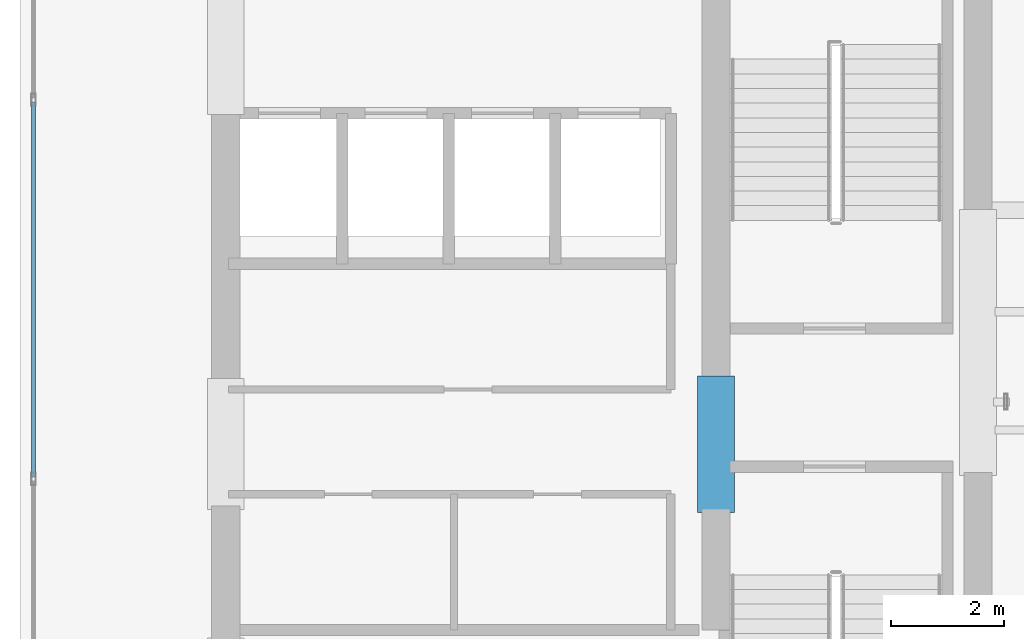
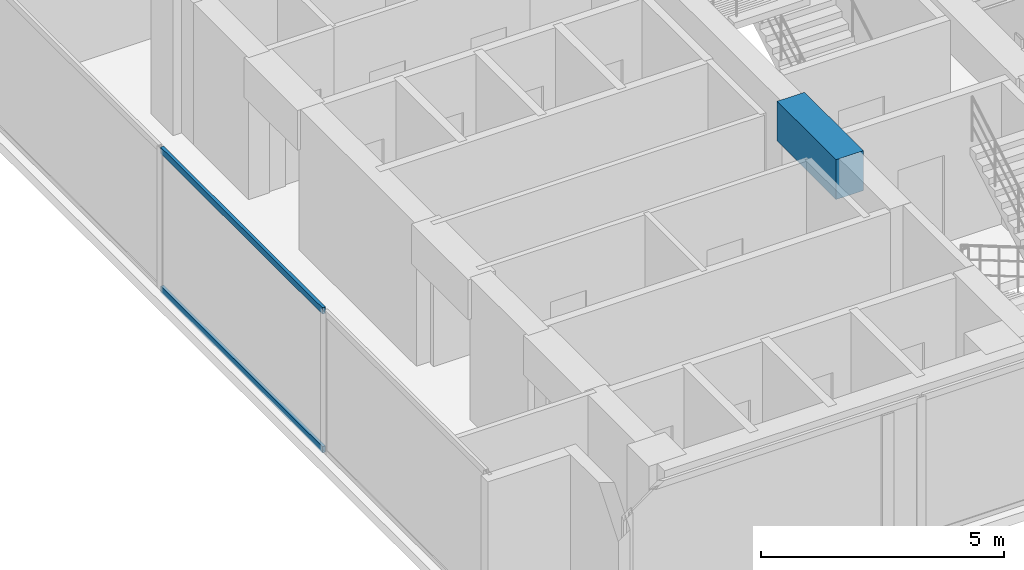
# One storey, part 3 of 24: 2 members, 1 beam, 1 element without a shape of its own.
"""IFC4 building model written with IfcOpenShell, lengths in metres."""

from ifc_helpers import new_model, si_unit, direction, frame, origin, origin_with_axes, origin_2d, place, context, subcontext, project, spatial, rectangle, hollow_rectangle, extrude, source, transform, mapped, material, layer, layer_set, material_profile, profile_set, type_object, element, aggregate, save


model = new_model("IFC4")

# Units and contexts
model_context = context("Model", 3, precision=1e-05, world=origin(), true_north=direction((0.0, 1.0)))
body_context = subcontext(model_context, "Body", "Model", "MODEL_VIEW")
ifc_project = project(units=[si_unit("LENGTHUNIT", "METRE"), si_unit("AREAUNIT", "SQUARE_METRE"), si_unit("VOLUMEUNIT", "CUBIC_METRE"), si_unit("PLANEANGLEUNIT", "RADIAN"), si_unit("MASSUNIT", "GRAM", prefix="KILO")], contexts=[model_context])

# Site, building, storey
site_placement = place(None, origin())
site = spatial("IfcSite", under=ifc_project, at=site_placement, CompositionType="ELEMENT")
building_placement = place(site_placement, origin())
building = spatial("IfcBuilding", under=site, at=building_placement, Name="Kolvaren Waterfront Exchange", CompositionType="ELEMENT")
storey_placement = place(building_placement, frame((0.0, 0.0, 285.60009765625)))
storey = spatial("IfcBuildingStorey", under=building, at=storey_placement, Name="L73", CompositionType="ELEMENT", Elevation=285.60009765625)

# Beam
ifc_material_1 = material(Name="Concrete C60/75", Category="concrete")
ifc_material_profile_1 = material_profile(ifc_material_1, rectangle(XDim=0.64990234375, YDim=1.0, at=origin_2d()), Name="RC-CB-1000x650")
ifc_profile_set_1 = profile_set([ifc_material_profile_1], Name="Concrete C60/75")
beam_type = type_object("IfcBeamType", Name="STR-CB-1000", PredefinedType="SPANDREL", material=ifc_profile_set_1)
beam_placement = place(storey_placement, frame((16.14990234375, 12.0400390625, 3.059814453125), z_axis=(0.0, 1.0, 0.0), x_axis=(-1.0, 0.0, 0.0)))
element("IfcBeam", 1, at=beam_placement, inside=storey, type_object=beam_type, Name="L73 core coupling beam 6", PredefinedType="SPANDREL", context=body_context, shape_type="SweptSolid", body=[
    extrude(rectangle(XDim=0.64990234375, YDim=1.0, at=origin_2d()), origin(), (0.0, 0.0, 1.0), 2.419921875),
])

# Curtain wall, members
ifc_material_2 = material(Name="Anodised aluminium 6063-T6", Category="aluminium")
ifc_layer = layer(ifc_material_2, 0.219970703125, Name="Anodised aluminium 6063-T6")
ifc_layer_set = layer_set([ifc_layer], Name="Anodised aluminium 6063-T6")
curtain_wall_type = type_object("IfcCurtainWallType", Name="ARC-CW-SYS2", PredefinedType="USERDEFINED", material=ifc_layer_set)
curtain_wall_placement = place(storey_placement, origin())
curtain_wall = element("IfcCurtainWall", 2, at=curtain_wall_placement, inside=storey, type_object=curtain_wall_type, Name="L73 stick curtain wall CW2 (CW-L73-W)", ObjectType="STICK CURTAIN WALL", PredefinedType="USERDEFINED")
ifc_material_profile_2 = material_profile(ifc_material_2, hollow_rectangle(XDim=0.074951171875, YDim=0.159912109375, WallThickness=0.00439453125, at=origin_2d()), Name="ALU-TRN-160x75x4.5")
ifc_profile_set_2 = profile_set([ifc_material_profile_2], Name="Anodised aluminium 6063-T6")
member_type = type_object("IfcMemberType", Name="ARC-CWT-160", PredefinedType="USERDEFINED", material=ifc_profile_set_2)
shared_shape = source(origin_with_axes(), body_context, "Body", "SweptSolid", [
    extrude(hollow_rectangle(XDim=0.074951171875, YDim=0.159912109375, WallThickness=0.00439453125, at=origin_2d()), origin(), (0.0, 0.0, 1.0), 6.649658203125),
])
member_1_placement = place(storey_placement, frame((4.0400390625, 12.669921875, 0.037353515625), z_axis=(0.0, 1.0, 0.0), x_axis=(-1.0, 0.0, 0.0)))
member_1 = element("IfcMember", 3, at=member_1_placement, type_object=member_type, Name="CW2 transom 2.1", ObjectType="TRANSOM", PredefinedType="USERDEFINED", context=body_context, shape_type="MappedRepresentation", body=[
    mapped(shared_shape, transform((0.0, 0.0, 0.0), x_axis=(1.0, 0.0, 0.0), y_axis=(0.0, 1.0, 0.0), z_axis=(0.0, 0.0, 1.0), scale=1.0)),
])
member_2_placement = place(storey_placement, frame((4.0400390625, 12.669921875, 3.5224609375), z_axis=(0.0, 1.0, 0.0), x_axis=(-1.0, 0.0, 0.0)))
member_2 = element("IfcMember", 4, at=member_2_placement, type_object=member_type, Name="CW2 transom 2.2", ObjectType="TRANSOM", PredefinedType="USERDEFINED", context=body_context, shape_type="MappedRepresentation", body=[
    mapped(shared_shape, transform((0.0, 0.0, 0.0), x_axis=(1.0, 0.0, 0.0), y_axis=(0.0, 1.0, 0.0), z_axis=(0.0, 0.0, 1.0), scale=1.0)),
])
aggregate(curtain_wall, [member_1, member_2])

save(model, "model.ifc")
